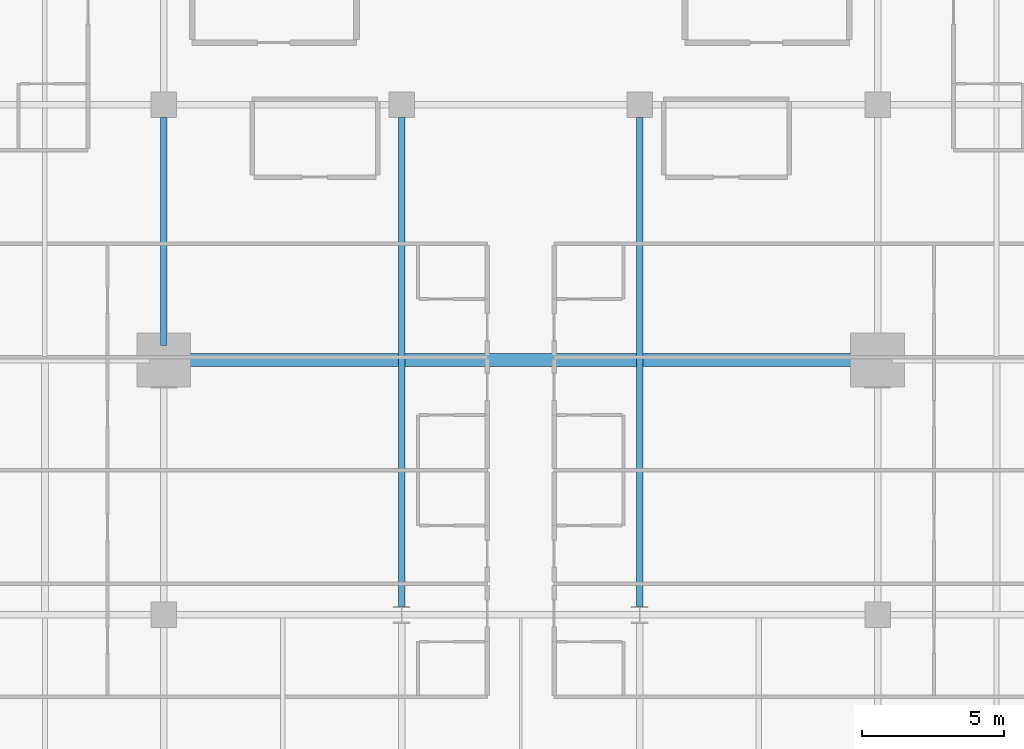
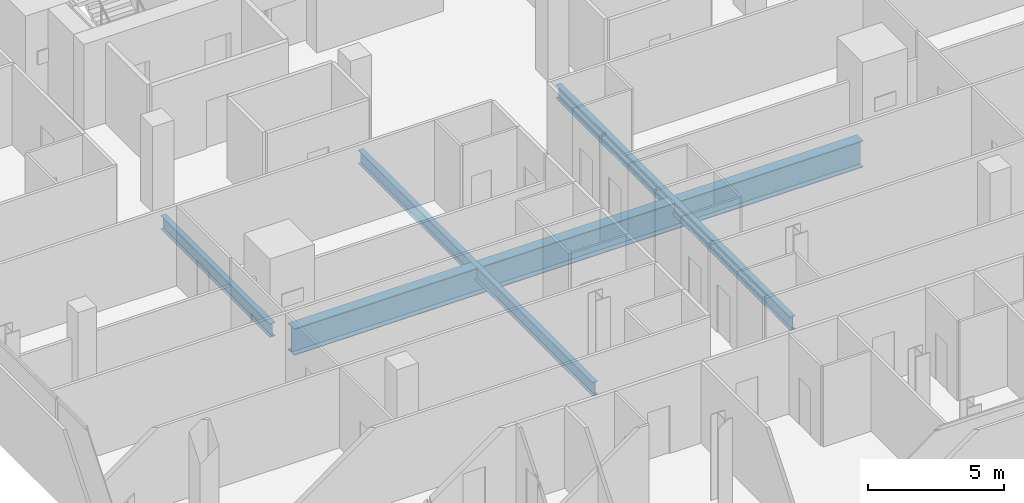
# One storey, part 11 of 34: 4 beams.
"""IFC4 building model written with IfcOpenShell, lengths in metres."""

import ifcopenshell
import ifcopenshell.guid

model = None  # the IFC model being written
_history = None  # IfcOwnerHistory: only IFC2X3 demands one
_inside = {}  # id of a spatial element -> (the spatial element, [elements in it])
_under = {}  # id of a project, library or spatial element -> (it, [spatial elements below it])
_declared = {}  # id of a project -> (the project, [libraries it declares])
_typed = {}  # id of a type object -> (the type object, [elements of that type])
_made_of = {}  # id of a material, layer set ... -> (it, [elements and type objects made of it])


def new_model(schema):
    """Start an empty IFC model of exactly this schema.

    Asked for "IFC4X3", IfcOpenShell would pick the latest addendum, in which some entities
    have other attributes; the version numbers below select the first issue.
    IFC2X3 requires an IfcOwnerHistory on every rooted entity: one is made here for all.
    """
    global model, _history
    if schema == "IFC4X3":
        model = ifcopenshell.file(schema_version=(4, 3, 0, 0))
    else:
        model = ifcopenshell.file(schema=schema)
    _inside.clear()
    _under.clear()
    _declared.clear()
    _typed.clear()
    _made_of.clear()
    _history = None
    if model.schema == "IFC2X3":
        org = make("IfcOrganization", Name="unknown")
        user = make(
            "IfcPersonAndOrganization",
            ThePerson=make("IfcPerson", FamilyName="unknown"),
            TheOrganization=org,
        )
        app = make(
            "IfcApplication",
            ApplicationDeveloper=org,
            Version="unknown",
            ApplicationFullName="unknown",
            ApplicationIdentifier="unknown",
        )
        _history = make(
            "IfcOwnerHistory",
            OwningUser=user,
            OwningApplication=app,
            ChangeAction="ADDED",
            CreationDate=0,
        )
    return model


def make(cls, **values):
    """One entity of the class cls with the attributes given. An attribute that is None is left unset."""
    return model.create_entity(
        cls, **{name: value for name, value in values.items() if value is not None}
    )


def rooted(cls, **values):
    """An entity with a GlobalId (a new one), such as an element, a storey or a relation."""
    return make(cls, GlobalId=ifcopenshell.guid.new(), OwnerHistory=_history, **values)


def si_unit(unit_type, name, prefix=None):
    """IfcSIUnit, for example si_unit("LENGTHUNIT", "METRE", prefix="MILLI")."""
    return make("IfcSIUnit", UnitType=unit_type, Prefix=prefix, Name=name)


def assignment(units):
    """IfcUnitAssignment: the units of a project."""
    return None if units is None else make("IfcUnitAssignment", Units=units)


def point(xyz):
    """IfcCartesianPoint."""
    return None if xyz is None else make("IfcCartesianPoint", Coordinates=xyz)


def direction(xyz):
    """IfcDirection."""
    return None if xyz is None else make("IfcDirection", DirectionRatios=xyz)


def frame(location, z_axis=None, x_axis=None):
    """IfcAxis2Placement3D, a coordinate frame: its origin and axes. An axis left out is left unset."""
    return make(
        "IfcAxis2Placement3D",
        Location=point(location),
        Axis=direction(z_axis),
        RefDirection=direction(x_axis),
    )


def frame_2d(location, x_axis=None):
    """IfcAxis2Placement2D, a coordinate frame in the plane: its origin and x axis."""
    return make(
        "IfcAxis2Placement2D", Location=point(location), RefDirection=direction(x_axis)
    )


def origin():
    """The frame at (0, 0, 0) with its axes left unset."""
    return frame((0.0, 0.0, 0.0))


def origin_2d():
    """The frame at (0, 0) in the plane with its x axis left unset."""
    return frame_2d((0.0, 0.0))


def place(relative_to, where):
    """IfcLocalPlacement: puts the frame where relative to a parent placement (None: the world)."""
    return make(
        "IfcLocalPlacement", PlacementRelTo=relative_to, RelativePlacement=where
    )


def context(
    kind, dimensions, precision=None, world=None, true_north=None, identifier=None
):
    """IfcGeometricRepresentationContext, for example the 3D "Model" context."""
    return make(
        "IfcGeometricRepresentationContext",
        ContextIdentifier=identifier,
        ContextType=kind,
        CoordinateSpaceDimension=dimensions,
        Precision=precision,
        WorldCoordinateSystem=world,
        TrueNorth=true_north,
    )


def subcontext(parent, identifier, kind, view, scale=None):
    """IfcGeometricRepresentationSubContext, for example "Body" below "Model"."""
    return make(
        "IfcGeometricRepresentationSubContext",
        ContextIdentifier=identifier,
        ContextType=kind,
        ParentContext=parent,
        TargetScale=scale,
        TargetView=view,
    )


def project(units=None, contexts=None):
    """IfcProject with its units and contexts."""
    return rooted(
        "IfcProject",
        Name="project",
        RepresentationContexts=contexts,
        UnitsInContext=assignment(units),
    )


def spatial(cls, under=None, at=None, **own):
    """A site, building, storey or space (cls), placed at a placement, below another one or the project."""
    s = rooted(cls, ObjectPlacement=at, **own)
    if under is not None:
        _under.setdefault(under.id(), (under, []))[1].append(s)
    return s


def profile(cls, at=None, kind="AREA", **sizes):
    """A parametric profile (cls). Its sizes go by their IFC names, for example OverallWidth=200.0."""
    return make(cls, ProfileType=kind, Position=at, **sizes)


def i_section(**sizes):
    """IfcIShapeProfileDef."""
    return profile("IfcIShapeProfileDef", **sizes)


def extrude(swept, where, along, depth):
    """IfcExtrudedAreaSolid: the profile swept, set in the frame where, extruded along a direction by depth."""
    return make(
        "IfcExtrudedAreaSolid",
        SweptArea=swept,
        Position=where,
        ExtrudedDirection=direction(along),
        Depth=depth,
    )


def shape(context_of_items, identifier, shape_type, items):
    """IfcShapeRepresentation: the items that make up one representation, for example the "Body"."""
    return make(
        "IfcShapeRepresentation",
        ContextOfItems=context_of_items,
        RepresentationIdentifier=identifier,
        RepresentationType=shape_type,
        Items=items,
    )


def material(Name=None, Category=None):
    """IfcMaterial."""
    return make("IfcMaterial", Name=Name, Category=Category)


def material_profile(
    of_material, cross_section, Name=None, Category=None, Priority=None
):
    """IfcMaterialProfile: a cross section and its material."""
    return make(
        "IfcMaterialProfile",
        Name=Name,
        Material=of_material,
        Profile=cross_section,
        Priority=Priority,
        Category=Category,
    )


def profile_set(profiles, Name=None, composite=None):
    """IfcMaterialProfileSet."""
    return make(
        "IfcMaterialProfileSet",
        Name=Name,
        MaterialProfiles=profiles,
        CompositeProfile=composite,
    )


def made_of(thing, what):
    """Note that an element or type object is made of a material, layer set ...; save() writes the relation."""
    if what is not None:
        _made_of.setdefault(what.id(), (what, []))[1].append(thing)
    return thing


def type_object(cls, material=None, **own):
    """A type object (cls), such as IfcWallType, which elements share."""
    return made_of(rooted(cls, **own), material)


def element(
    cls,
    number,
    at=None,
    inside=None,
    cuts=None,
    type_object=None,
    material=None,
    context=None,
    identifier="Body",
    shape_type=None,
    held_by="IfcProductDefinitionShape",
    body=None,
    shapes=None,
    **own,
):
    """One element of the class cls, such as IfcWall. Its Tag is "e" and its number.

    at: its placement. inside: the storey or other place that contains it. cuts: it is an
    opening in that element (IfcRelVoidsElement). A single representation is given by context,
    identifier, shape_type and body (its items); several are given by shapes. held_by: the class
    of the entity that holds the representations. save() writes the other relations.
    """
    e = rooted(cls, Tag="e%d" % number, ObjectPlacement=at, **own)
    if body is not None:
        shapes = [shape(context, identifier, shape_type, body)]
    if shapes is not None:
        e.Representation = make(held_by, Representations=shapes)
    if inside is not None:
        _inside.setdefault(inside.id(), (inside, []))[1].append(e)
    if cuts is not None:
        rooted(
            "IfcRelVoidsElement", RelatingBuildingElement=cuts, RelatedOpeningElement=e
        )
    if type_object is not None:
        _typed.setdefault(type_object.id(), (type_object, []))[1].append(e)
    return made_of(e, material)


def aggregate(whole, parts):
    """IfcRelAggregates: a whole, such as a stair, and the parts it consists of."""
    return rooted("IfcRelAggregates", RelatingObject=whole, RelatedObjects=parts)


def save(model, path):
    """Write the relations noted so far, then the file.

    IfcRelAggregates (storeys below a building ...), IfcRelContainedInSpatialStructure (elements
    in a storey), IfcRelDefinesByType, IfcRelAssociatesMaterial and IfcRelDeclares: one each for
    every whole, place, type object, material and project.
    """
    for whole, parts in _under.values():
        aggregate(whole, parts)
    for where, things in _inside.values():
        rooted(
            "IfcRelContainedInSpatialStructure",
            RelatedElements=things,
            RelatingStructure=where,
        )
    for kind, things in _typed.values():
        rooted("IfcRelDefinesByType", RelatedObjects=things, RelatingType=kind)
    for what, things in _made_of.values():
        rooted("IfcRelAssociatesMaterial", RelatedObjects=things, RelatingMaterial=what)
    for by, libraries in _declared.values():
        rooted("IfcRelDeclares", RelatingContext=by, RelatedDefinitions=libraries)
    model.write(path)


model = new_model("IFC4")

# Units and contexts
model_context = context("Model", 3, precision=1e-05, world=origin(), true_north=direction((0.0, 1.0)))
body_context = subcontext(model_context, "Body", "Model", "MODEL_VIEW")
ifc_project = project(units=[si_unit("LENGTHUNIT", "METRE"), si_unit("AREAUNIT", "SQUARE_METRE"), si_unit("VOLUMEUNIT", "CUBIC_METRE"), si_unit("PLANEANGLEUNIT", "RADIAN"), si_unit("MASSUNIT", "GRAM", prefix="KILO")], contexts=[model_context])

# Site, building, storey
site_placement = place(None, origin())
site = spatial("IfcSite", under=ifc_project, at=site_placement, CompositionType="ELEMENT")
building_placement = place(site_placement, origin())
building = spatial("IfcBuilding", under=site, at=building_placement, Name="Maruvema Waterfront Hotel and Observation Tower", CompositionType="ELEMENT")
storey_placement = place(building_placement, frame((0.0, 0.0, 131.25)))
storey = spatial("IfcBuildingStorey", under=building, at=storey_placement, Name="L31", CompositionType="ELEMENT", Elevation=131.25)

# Beams
ifc_material_1 = material(Name="Steel ASTM A572 Grade 50", Category="steel")
ifc_material_profile_1 = material_profile(ifc_material_1, i_section(OverallWidth=0.22900390625, OverallDepth=0.612060546875, WebThickness=0.011962890625, FlangeThickness=0.01953125, FilletRadius=0.01806640625, at=origin_2d()), Name="W610x125.0")
ifc_profile_set_1 = profile_set([ifc_material_profile_1], Name="Steel ASTM A572 Grade 50")
beam_type_1 = type_object("IfcBeamType", Name="Primary Floor Girder W610x125.0", PredefinedType="BEAM", material=ifc_profile_set_1)
beam_1_placement = place(storey_placement, frame((25.199951171875, 27.5, -0.5458984375), z_axis=(0.0, 1.0, 0.0), x_axis=(-1.0, 0.0, 0.0)))
element("IfcBeam", 1, at=beam_1_placement, inside=storey, type_object=beam_type_1, Name="L31 Floor Girder NS-12", PredefinedType="BEAM", context=body_context, shape_type="SweptSolid", body=[
    extrude(i_section(OverallWidth=0.22900390625, OverallDepth=0.612060546875, WebThickness=0.011962890625, FlangeThickness=0.01953125, FilletRadius=0.01806640625, at=origin_2d()), origin(), (0.0, 0.0, 1.0), 8.050048828125),
])
for number, where, z_axis, x_axis, name in (
    (2, (33.60009765625, 18.300048828125, -0.5458984375), (0.0, 1.0, 0.0), (-1.0, 0.0, 0.0), "L31 Floor Girder NS-16"),
    (3, (42.0, 18.300048828125, -0.5458984375), (0.0, 1.0, 0.0), (-1.0, 0.0, 0.0), "L31 Floor Girder NS-19"),
):
    element("IfcBeam", number, at=place(storey_placement, frame(where, z_axis=z_axis, x_axis=x_axis)), inside=storey, type_object=beam_type_1, Name=name, PredefinedType="BEAM", context=body_context, shape_type="SweptSolid", body=[
        extrude(i_section(OverallWidth=0.22900390625, OverallDepth=0.612060546875, WebThickness=0.011962890625, FlangeThickness=0.01953125, FilletRadius=0.01806640625, at=origin_2d()), origin(), (0.0, 0.0, 1.0), 17.25),
    ])
ifc_material_2 = material(Name="Steel ABNT NBR 7007 AR 415 (ASTM A572 Grade 50)", Category="steel")
ifc_material_profile_2 = material_profile(ifc_material_2, i_section(OverallWidth=0.449951171875, OverallDepth=1.199951171875, WebThickness=0.01904296875, FlangeThickness=0.031982421875, at=origin_2d()), Name="VS1200x366")
ifc_profile_set_2 = profile_set([ifc_material_profile_2], Name="Steel ABNT NBR 7007 AR 415 (ASTM A572 Grade 50)")
beam_type_2 = type_object("IfcBeamType", Name="Upper Setback Transfer Girder VS1200x366", PredefinedType="USERDEFINED", material=ifc_profile_set_2)
beam_2_placement = place(storey_placement, frame((25.699951171875, 27.0, -0.840087890625), z_axis=(1.0, 0.0, 0.0), x_axis=(0.0, 1.0, 0.0)))
element("IfcBeam", 4, at=beam_2_placement, inside=storey, type_object=beam_type_2, Name="L31 Floor Girder EW-20", ObjectType="TRANSFER GIRDER", PredefinedType="USERDEFINED", context=body_context, shape_type="SweptSolid", body=[
    extrude(i_section(OverallWidth=0.449951171875, OverallDepth=1.199951171875, WebThickness=0.01904296875, FlangeThickness=0.031982421875, at=origin_2d()), origin(), (0.0, 0.0, 1.0), 24.199951171875),
])

save(model, "model.ifc")
